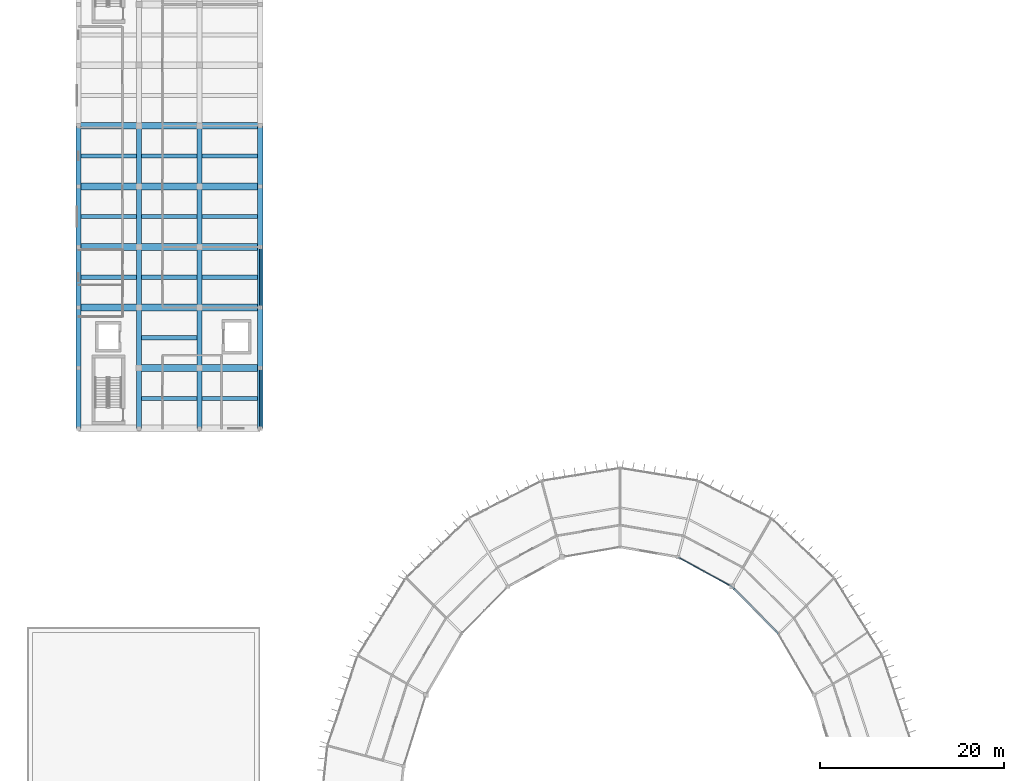
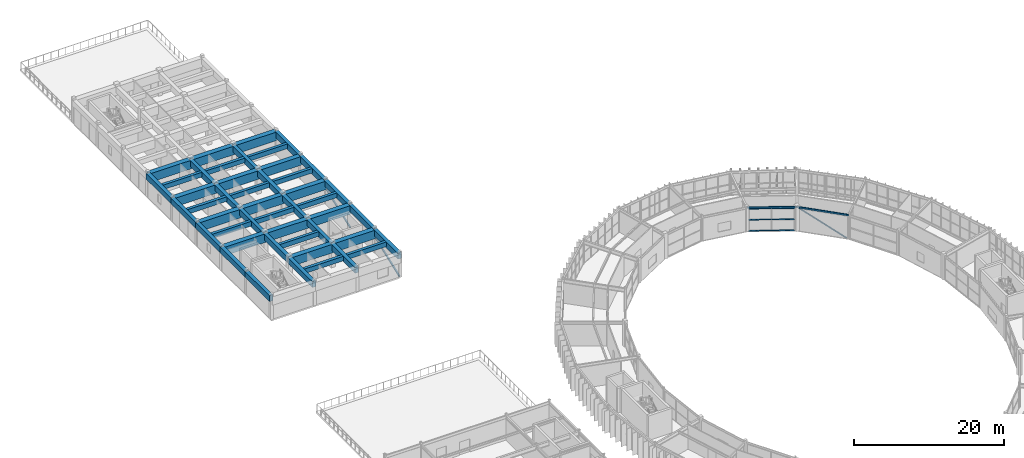
# One storey, part 71 of 130: 48 beams, 9 members, 1 element without a shape of its own.
"""IFC4 building model written with IfcOpenShell, lengths in metres."""

from ifc_helpers import new_model, si_unit, direction, frame, origin, origin_2d, place, context, subcontext, project, spatial, rectangle, hollow_rectangle, hollow_circle, extrude, material, material_profile, profile_set, type_object, element, aggregate, save


model = new_model("IFC4")

# Units and contexts
model_context = context("Model", 3, precision=1e-05, world=origin(), true_north=direction((0.0, 1.0)))
body_context = subcontext(model_context, "Body", "Model", "MODEL_VIEW")
ifc_project = project(units=[si_unit("LENGTHUNIT", "METRE"), si_unit("AREAUNIT", "SQUARE_METRE"), si_unit("VOLUMEUNIT", "CUBIC_METRE"), si_unit("PLANEANGLEUNIT", "RADIAN"), si_unit("MASSUNIT", "GRAM", prefix="KILO")], contexts=[model_context])

# Site, building, storey
site_placement = place(None, origin())
site = spatial("IfcSite", under=ifc_project, at=site_placement, CompositionType="ELEMENT")
building_placement = place(site_placement, origin())
building = spatial("IfcBuilding", under=site, at=building_placement, Name="Karori Crest Natural Sciences Institute", CompositionType="ELEMENT")
storey_placement = place(building_placement, frame((0.0, 0.0, 17.5)))
storey = spatial("IfcBuildingStorey", under=building, at=storey_placement, Name="L04", CompositionType="ELEMENT", Elevation=17.5)

# Beams
ifc_material_1 = material(Name="Hollow structural steel AS/NZS 1163 Grade C350", Category="steel")
ifc_material_profile_1 = material_profile(ifc_material_1, hollow_rectangle(XDim=0.14990234375, YDim=0.25, WallThickness=0.009033203125, at=origin_2d()), Name="RHS250x150x9")
ifc_profile_set_1 = profile_set([ifc_material_profile_1], Name="Hollow structural steel AS/NZS 1163 Grade C350")
beam_type_1 = type_object("IfcBeamType", Name="BT-16", PredefinedType="SPANDREL", material=ifc_profile_set_1)
beam_1_placement = place(storey_placement, frame((83.6533203125, 72.668701171875, 3.7900390625), z_axis=(-0.702645672149, 0.711539921164, 0.0), x_axis=(-0.711539921164, -0.702645672149, 0.0)))
element("IfcBeam", 1, at=beam_1_placement, inside=storey, type_object=beam_type_1, Name="Beam B-0462", PredefinedType="SPANDREL", context=body_context, shape_type="SweptSolid", body=[
    extrude(hollow_rectangle(XDim=0.14990234375, YDim=0.25, WallThickness=0.009033203125, at=origin_2d()), origin(), (0.0, 0.0, 1.0), 7.191650390625),
])
beam_2_placement = place(storey_placement, frame((78.60009765625, 77.785888671875, 3.7900390625), z_axis=(-0.877469531616, 0.47963238119, 0.0), x_axis=(-0.47963238119, -0.877469531616, 0.0)))
element("IfcBeam", 2, at=beam_2_placement, inside=storey, type_object=beam_type_1, Name="Beam B-0466", PredefinedType="SPANDREL", context=body_context, shape_type="SweptSolid", body=[
    extrude(hollow_rectangle(XDim=0.14990234375, YDim=0.25, WallThickness=0.009033203125, at=origin_2d()), origin(), (0.0, 0.0, 1.0), 6.706787109375),
])
ifc_material_2 = material(Name="Concrete 50 MPa", Category="concrete")
ifc_material_profile_2 = material_profile(ifc_material_2, rectangle(XDim=0.75, YDim=1.39990234375, at=origin_2d()), Name="RCB750x1400")
ifc_profile_set_2 = profile_set([ifc_material_profile_2], Name="Concrete 50 MPa")
beam_type_2 = type_object("IfcBeamType", Name="BT-17-IL", PredefinedType="BEAM", material=ifc_profile_set_2)
beam_3_placement = place(storey_placement, frame((14.0, 101.60009765625, 3.14990234375), z_axis=(1.0, 0.0, 0.0), x_axis=(0.0, 1.0, 0.0)))
element("IfcBeam", 3, at=beam_3_placement, inside=storey, type_object=beam_type_2, Name="Beam B-1748", PredefinedType="BEAM", context=body_context, shape_type="SweptSolid", body=[
    extrude(rectangle(XDim=0.75, YDim=1.39990234375, at=origin_2d()), origin(), (0.0, 0.0, 1.0), 6.60009765625),
])
beam_4_placement = place(storey_placement, frame((20.60009765625, 101.60009765625, 3.14990234375), z_axis=(1.0, 0.0, 0.0), x_axis=(0.0, 1.0, 0.0)))
element("IfcBeam", 4, at=beam_4_placement, inside=storey, type_object=beam_type_2, Name="Beam B-1749", PredefinedType="BEAM", context=body_context, shape_type="SweptSolid", body=[
    extrude(rectangle(XDim=0.75, YDim=1.39990234375, at=origin_2d()), origin(), (0.0, 0.0, 1.0), 6.599853515625),
])
for number, where, z_axis, x_axis, name in (
    (5, (7.39990234375, 108.199951171875, 3.14990234375), (1.0, 0.0, 0.0), (0.0, 1.0, 0.0), "Beam B-1750"),
    (6, (14.0, 108.199951171875, 3.14990234375), (1.0, 0.0, 0.0), (0.0, 1.0, 0.0), "Beam B-1751"),
):
    element("IfcBeam", number, at=place(storey_placement, frame(where, z_axis=z_axis, x_axis=x_axis)), inside=storey, type_object=beam_type_2, Name=name, PredefinedType="BEAM", context=body_context, shape_type="SweptSolid", body=[
        extrude(rectangle(XDim=0.75, YDim=1.39990234375, at=origin_2d()), origin(), (0.0, 0.0, 1.0), 6.60009765625),
    ])
beam_5_placement = place(storey_placement, frame((20.60009765625, 108.199951171875, 3.14990234375), z_axis=(1.0, 0.0, 0.0), x_axis=(0.0, 1.0, 0.0)))
element("IfcBeam", 7, at=beam_5_placement, inside=storey, type_object=beam_type_2, Name="Beam B-1752", PredefinedType="BEAM", context=body_context, shape_type="SweptSolid", body=[
    extrude(rectangle(XDim=0.75, YDim=1.39990234375, at=origin_2d()), origin(), (0.0, 0.0, 1.0), 6.599853515625),
])
for number, where, z_axis, x_axis, name in (
    (8, (7.39990234375, 114.800048828125, 3.14990234375), (1.0, 0.0, 0.0), (0.0, 1.0, 0.0), "Beam B-1753"),
    (9, (14.0, 114.800048828125, 3.14990234375), (1.0, 0.0, 0.0), (0.0, 1.0, 0.0), "Beam B-1754"),
):
    element("IfcBeam", number, at=place(storey_placement, frame(where, z_axis=z_axis, x_axis=x_axis)), inside=storey, type_object=beam_type_2, Name=name, PredefinedType="BEAM", context=body_context, shape_type="SweptSolid", body=[
        extrude(rectangle(XDim=0.75, YDim=1.39990234375, at=origin_2d()), origin(), (0.0, 0.0, 1.0), 6.60009765625),
    ])
beam_6_placement = place(storey_placement, frame((20.60009765625, 114.800048828125, 3.14990234375), z_axis=(1.0, 0.0, 0.0), x_axis=(0.0, 1.0, 0.0)))
element("IfcBeam", 10, at=beam_6_placement, inside=storey, type_object=beam_type_2, Name="Beam B-1755", PredefinedType="BEAM", context=body_context, shape_type="SweptSolid", body=[
    extrude(rectangle(XDim=0.75, YDim=1.39990234375, at=origin_2d()), origin(), (0.0, 0.0, 1.0), 6.599853515625),
])
for number, where, z_axis, x_axis, name in (
    (11, (7.39990234375, 121.39990234375, 3.14990234375), (1.0, 0.0, 0.0), (0.0, 1.0, 0.0), "Beam B-1756"),
    (12, (14.0, 121.39990234375, 3.14990234375), (1.0, 0.0, 0.0), (0.0, 1.0, 0.0), "Beam B-1757"),
):
    element("IfcBeam", number, at=place(storey_placement, frame(where, z_axis=z_axis, x_axis=x_axis)), inside=storey, type_object=beam_type_2, Name=name, PredefinedType="BEAM", context=body_context, shape_type="SweptSolid", body=[
        extrude(rectangle(XDim=0.75, YDim=1.39990234375, at=origin_2d()), origin(), (0.0, 0.0, 1.0), 6.60009765625),
    ])
beam_7_placement = place(storey_placement, frame((20.60009765625, 121.39990234375, 3.14990234375), z_axis=(1.0, 0.0, 0.0), x_axis=(0.0, 1.0, 0.0)))
element("IfcBeam", 13, at=beam_7_placement, inside=storey, type_object=beam_type_2, Name="Beam B-1758", PredefinedType="BEAM", context=body_context, shape_type="SweptSolid", body=[
    extrude(rectangle(XDim=0.75, YDim=1.39990234375, at=origin_2d()), origin(), (0.0, 0.0, 1.0), 6.599853515625),
])
for number, where, z_axis, x_axis, name in (
    (14, (7.39990234375, 128.0, 3.14990234375), (1.0, 0.0, 0.0), (0.0, 1.0, 0.0), "Beam B-1759"),
    (15, (14.0, 128.0, 3.14990234375), (1.0, 0.0, 0.0), (0.0, 1.0, 0.0), "Beam B-1760"),
):
    element("IfcBeam", number, at=place(storey_placement, frame(where, z_axis=z_axis, x_axis=x_axis)), inside=storey, type_object=beam_type_2, Name=name, PredefinedType="BEAM", context=body_context, shape_type="SweptSolid", body=[
        extrude(rectangle(XDim=0.75, YDim=1.39990234375, at=origin_2d()), origin(), (0.0, 0.0, 1.0), 6.60009765625),
    ])
beam_8_placement = place(storey_placement, frame((20.60009765625, 128.0, 3.14990234375), z_axis=(1.0, 0.0, 0.0), x_axis=(0.0, 1.0, 0.0)))
element("IfcBeam", 16, at=beam_8_placement, inside=storey, type_object=beam_type_2, Name="Beam B-1761", PredefinedType="BEAM", context=body_context, shape_type="SweptSolid", body=[
    extrude(rectangle(XDim=0.75, YDim=1.39990234375, at=origin_2d()), origin(), (0.0, 0.0, 1.0), 6.599853515625),
])
ifc_material_profile_3 = material_profile(ifc_material_2, rectangle(XDim=0.550048828125, YDim=0.949951171875, at=origin_2d()), Name="RCB550x950")
ifc_profile_set_3 = profile_set([ifc_material_profile_3], Name="Concrete 50 MPa")
beam_type_3 = type_object("IfcBeamType", Name="BT-34", PredefinedType="BEAM", material=ifc_profile_set_3)
beam_9_placement = place(storey_placement, frame((7.39990234375, 95.0, 3.375), z_axis=(0.0, 1.0, 0.0), x_axis=(-1.0, 0.0, 0.0)))
element("IfcBeam", 17, at=beam_9_placement, inside=storey, type_object=beam_type_3, Name="Beam B-1770", PredefinedType="BEAM", context=body_context, shape_type="SweptSolid", body=[
    extrude(rectangle(XDim=0.550048828125, YDim=0.949951171875, at=origin_2d()), origin(), (0.0, 0.0, 1.0), 6.60009765625),
])
beam_10_placement = place(storey_placement, frame((7.39990234375, 101.60009765625, 3.375), z_axis=(0.0, 1.0, 0.0), x_axis=(-1.0, 0.0, 0.0)))
element("IfcBeam", 18, at=beam_10_placement, inside=storey, type_object=beam_type_3, Name="Beam B-1771", PredefinedType="BEAM", context=body_context, shape_type="SweptSolid", body=[
    extrude(rectangle(XDim=0.550048828125, YDim=0.949951171875, at=origin_2d()), origin(), (0.0, 0.0, 1.0), 6.599853515625),
])
beam_11_placement = place(storey_placement, frame((7.39990234375, 108.199951171875, 3.375), z_axis=(0.0, 1.0, 0.0), x_axis=(-1.0, 0.0, 0.0)))
element("IfcBeam", 19, at=beam_11_placement, inside=storey, type_object=beam_type_3, Name="Beam B-1772", PredefinedType="BEAM", context=body_context, shape_type="SweptSolid", body=[
    extrude(rectangle(XDim=0.550048828125, YDim=0.949951171875, at=origin_2d()), origin(), (0.0, 0.0, 1.0), 6.60009765625),
])
beam_12_placement = place(storey_placement, frame((7.39990234375, 114.800048828125, 3.375), z_axis=(0.0, 1.0, 0.0), x_axis=(-1.0, 0.0, 0.0)))
element("IfcBeam", 20, at=beam_12_placement, inside=storey, type_object=beam_type_3, Name="Beam B-1773", PredefinedType="BEAM", context=body_context, shape_type="SweptSolid", body=[
    extrude(rectangle(XDim=0.550048828125, YDim=0.949951171875, at=origin_2d()), origin(), (0.0, 0.0, 1.0), 6.599853515625),
])
for number, where, z_axis, x_axis, name in (
    (21, (7.39990234375, 121.39990234375, 3.375), (0.0, 1.0, 0.0), (-1.0, 0.0, 0.0), "Beam B-1774"),
    (22, (27.199951171875, 95.0, 3.375), (0.0, 1.0, 0.0), (-1.0, 0.0, 0.0), "Beam B-1794"),
):
    element("IfcBeam", number, at=place(storey_placement, frame(where, z_axis=z_axis, x_axis=x_axis)), inside=storey, type_object=beam_type_3, Name=name, PredefinedType="BEAM", context=body_context, shape_type="SweptSolid", body=[
        extrude(rectangle(XDim=0.550048828125, YDim=0.949951171875, at=origin_2d()), origin(), (0.0, 0.0, 1.0), 6.60009765625),
    ])
beam_13_placement = place(storey_placement, frame((27.199951171875, 101.60009765625, 3.375), z_axis=(0.0, 1.0, 0.0), x_axis=(-1.0, 0.0, 0.0)))
element("IfcBeam", 23, at=beam_13_placement, inside=storey, type_object=beam_type_3, Name="Beam B-1795", PredefinedType="BEAM", context=body_context, shape_type="SweptSolid", body=[
    extrude(rectangle(XDim=0.550048828125, YDim=0.949951171875, at=origin_2d()), origin(), (0.0, 0.0, 1.0), 6.599853515625),
])
beam_14_placement = place(storey_placement, frame((27.199951171875, 108.199951171875, 3.375), z_axis=(0.0, 1.0, 0.0), x_axis=(-1.0, 0.0, 0.0)))
element("IfcBeam", 24, at=beam_14_placement, inside=storey, type_object=beam_type_3, Name="Beam B-1796", PredefinedType="BEAM", context=body_context, shape_type="SweptSolid", body=[
    extrude(rectangle(XDim=0.550048828125, YDim=0.949951171875, at=origin_2d()), origin(), (0.0, 0.0, 1.0), 6.60009765625),
])
beam_15_placement = place(storey_placement, frame((27.199951171875, 114.800048828125, 3.375), z_axis=(0.0, 1.0, 0.0), x_axis=(-1.0, 0.0, 0.0)))
element("IfcBeam", 25, at=beam_15_placement, inside=storey, type_object=beam_type_3, Name="Beam B-1797", PredefinedType="BEAM", context=body_context, shape_type="SweptSolid", body=[
    extrude(rectangle(XDim=0.550048828125, YDim=0.949951171875, at=origin_2d()), origin(), (0.0, 0.0, 1.0), 6.599853515625),
])
beam_16_placement = place(storey_placement, frame((27.199951171875, 121.39990234375, 3.375), z_axis=(0.0, 1.0, 0.0), x_axis=(-1.0, 0.0, 0.0)))
element("IfcBeam", 26, at=beam_16_placement, inside=storey, type_object=beam_type_3, Name="Beam B-1798", PredefinedType="BEAM", context=body_context, shape_type="SweptSolid", body=[
    extrude(rectangle(XDim=0.550048828125, YDim=0.949951171875, at=origin_2d()), origin(), (0.0, 0.0, 1.0), 6.60009765625),
])
ifc_material_profile_4 = material_profile(ifc_material_2, rectangle(XDim=0.550048828125, YDim=0.949951171875, at=origin_2d()), Name="RCB550x950")
ifc_profile_set_4 = profile_set([ifc_material_profile_4], Name="Concrete 50 MPa")
beam_type_4 = type_object("IfcBeamType", Name="BT-34-IL", PredefinedType="BEAM", material=ifc_profile_set_4)
beam_17_placement = place(storey_placement, frame((14.0, 95.0, 3.375), z_axis=(0.0, 1.0, 0.0), x_axis=(-1.0, 0.0, 0.0)))
element("IfcBeam", 27, at=beam_17_placement, inside=storey, type_object=beam_type_4, Name="Beam B-1778", PredefinedType="BEAM", context=body_context, shape_type="SweptSolid", body=[
    extrude(rectangle(XDim=0.550048828125, YDim=0.949951171875, at=origin_2d()), origin(), (0.0, 0.0, 1.0), 6.60009765625),
])
beam_18_placement = place(storey_placement, frame((14.0, 101.60009765625, 3.375), z_axis=(0.0, 1.0, 0.0), x_axis=(-1.0, 0.0, 0.0)))
element("IfcBeam", 28, at=beam_18_placement, inside=storey, type_object=beam_type_4, Name="Beam B-1779", PredefinedType="BEAM", context=body_context, shape_type="SweptSolid", body=[
    extrude(rectangle(XDim=0.550048828125, YDim=0.949951171875, at=origin_2d()), origin(), (0.0, 0.0, 1.0), 6.599853515625),
])
beam_19_placement = place(storey_placement, frame((14.0, 108.199951171875, 3.375), z_axis=(0.0, 1.0, 0.0), x_axis=(-1.0, 0.0, 0.0)))
element("IfcBeam", 29, at=beam_19_placement, inside=storey, type_object=beam_type_4, Name="Beam B-1780", PredefinedType="BEAM", context=body_context, shape_type="SweptSolid", body=[
    extrude(rectangle(XDim=0.550048828125, YDim=0.949951171875, at=origin_2d()), origin(), (0.0, 0.0, 1.0), 6.60009765625),
])
beam_20_placement = place(storey_placement, frame((14.0, 114.800048828125, 3.375), z_axis=(0.0, 1.0, 0.0), x_axis=(-1.0, 0.0, 0.0)))
element("IfcBeam", 30, at=beam_20_placement, inside=storey, type_object=beam_type_4, Name="Beam B-1781", PredefinedType="BEAM", context=body_context, shape_type="SweptSolid", body=[
    extrude(rectangle(XDim=0.550048828125, YDim=0.949951171875, at=origin_2d()), origin(), (0.0, 0.0, 1.0), 6.599853515625),
])
for number, where, z_axis, x_axis, name in (
    (31, (14.0, 121.39990234375, 3.375), (0.0, 1.0, 0.0), (-1.0, 0.0, 0.0), "Beam B-1782"),
    (32, (20.60009765625, 95.0, 3.375), (0.0, 1.0, 0.0), (-1.0, 0.0, 0.0), "Beam B-1786"),
):
    element("IfcBeam", number, at=place(storey_placement, frame(where, z_axis=z_axis, x_axis=x_axis)), inside=storey, type_object=beam_type_4, Name=name, PredefinedType="BEAM", context=body_context, shape_type="SweptSolid", body=[
        extrude(rectangle(XDim=0.550048828125, YDim=0.949951171875, at=origin_2d()), origin(), (0.0, 0.0, 1.0), 6.60009765625),
    ])
beam_21_placement = place(storey_placement, frame((20.60009765625, 101.60009765625, 3.375), z_axis=(0.0, 1.0, 0.0), x_axis=(-1.0, 0.0, 0.0)))
element("IfcBeam", 33, at=beam_21_placement, inside=storey, type_object=beam_type_4, Name="Beam B-1787", PredefinedType="BEAM", context=body_context, shape_type="SweptSolid", body=[
    extrude(rectangle(XDim=0.550048828125, YDim=0.949951171875, at=origin_2d()), origin(), (0.0, 0.0, 1.0), 6.599853515625),
])
beam_22_placement = place(storey_placement, frame((20.60009765625, 108.199951171875, 3.375), z_axis=(0.0, 1.0, 0.0), x_axis=(-1.0, 0.0, 0.0)))
element("IfcBeam", 34, at=beam_22_placement, inside=storey, type_object=beam_type_4, Name="Beam B-1788", PredefinedType="BEAM", context=body_context, shape_type="SweptSolid", body=[
    extrude(rectangle(XDim=0.550048828125, YDim=0.949951171875, at=origin_2d()), origin(), (0.0, 0.0, 1.0), 6.60009765625),
])
beam_23_placement = place(storey_placement, frame((20.60009765625, 114.800048828125, 3.375), z_axis=(0.0, 1.0, 0.0), x_axis=(-1.0, 0.0, 0.0)))
element("IfcBeam", 35, at=beam_23_placement, inside=storey, type_object=beam_type_4, Name="Beam B-1789", PredefinedType="BEAM", context=body_context, shape_type="SweptSolid", body=[
    extrude(rectangle(XDim=0.550048828125, YDim=0.949951171875, at=origin_2d()), origin(), (0.0, 0.0, 1.0), 6.599853515625),
])
beam_24_placement = place(storey_placement, frame((20.60009765625, 121.39990234375, 3.375), z_axis=(0.0, 1.0, 0.0), x_axis=(-1.0, 0.0, 0.0)))
element("IfcBeam", 36, at=beam_24_placement, inside=storey, type_object=beam_type_4, Name="Beam B-1790", PredefinedType="BEAM", context=body_context, shape_type="SweptSolid", body=[
    extrude(rectangle(XDim=0.550048828125, YDim=0.949951171875, at=origin_2d()), origin(), (0.0, 0.0, 1.0), 6.60009765625),
])
ifc_material_profile_5 = material_profile(ifc_material_2, rectangle(XDim=0.449951171875, YDim=0.75, at=origin_2d()), Name="RCB450x750")
ifc_profile_set_5 = profile_set([ifc_material_profile_5], Name="Concrete 50 MPa")
beam_type_5 = type_object("IfcBeamType", Name="BT-35", PredefinedType="BEAM", material=ifc_profile_set_5)
for number, where, z_axis, x_axis, name in (
    (37, (7.675048828125, 111.5, 3.47509765625), (1.0, 0.0, 0.0), (0.0, 1.0, 0.0), "Beam B-1802"),
    (38, (7.675048828125, 118.10009765625, 3.47509765625), (1.0, 0.0, 0.0), (0.0, 1.0, 0.0), "Beam B-1803"),
    (39, (7.675048828125, 124.699951171875, 3.47509765625), (1.0, 0.0, 0.0), (0.0, 1.0, 0.0), "Beam B-1804"),
    (40, (14.27490234375, 98.300048828125, 3.47509765625), (1.0, 0.0, 0.0), (0.0, 1.0, 0.0), "Beam B-1807"),
    (41, (14.27490234375, 104.89990234375, 3.47509765625), (1.0, 0.0, 0.0), (0.0, 1.0, 0.0), "Beam B-1808"),
    (42, (14.27490234375, 111.5, 3.47509765625), (1.0, 0.0, 0.0), (0.0, 1.0, 0.0), "Beam B-1809"),
    (43, (14.27490234375, 118.10009765625, 3.47509765625), (1.0, 0.0, 0.0), (0.0, 1.0, 0.0), "Beam B-1810"),
    (44, (14.27490234375, 124.699951171875, 3.47509765625), (1.0, 0.0, 0.0), (0.0, 1.0, 0.0), "Beam B-1811"),
    (45, (20.875, 98.300048828125, 3.47509765625), (1.0, 0.0, 0.0), (0.0, 1.0, 0.0), "Beam B-1815"),
    (46, (20.875, 111.5, 3.47509765625), (1.0, 0.0, 0.0), (0.0, 1.0, 0.0), "Beam B-1816"),
    (47, (20.875, 118.10009765625, 3.47509765625), (1.0, 0.0, 0.0), (0.0, 1.0, 0.0), "Beam B-1817"),
    (48, (20.875, 124.699951171875, 3.47509765625), (1.0, 0.0, 0.0), (0.0, 1.0, 0.0), "Beam B-1818"),
):
    element("IfcBeam", number, at=place(storey_placement, frame(where, z_axis=z_axis, x_axis=x_axis)), inside=storey, type_object=beam_type_5, Name=name, PredefinedType="BEAM", context=body_context, shape_type="SweptSolid", body=[
        extrude(rectangle(XDim=0.449951171875, YDim=0.75, at=origin_2d()), origin(), (0.0, 0.0, 1.0), 6.050048828125),
    ])

# Curtain wall, members
ifc_material_3 = material(Name="Anodised architectural aluminium 6063-T6", Category="aluminium")
curtain_wall_type = type_object("IfcCurtainWallType", Name="CWT-15", PredefinedType="NOTDEFINED", material=ifc_material_3)
curtain_wall_placement = place(storey_placement, origin())
curtain_wall = element("IfcCurtainWall", 49, at=curtain_wall_placement, inside=storey, type_object=curtain_wall_type, Name="Curtain wall CW-0143", PredefinedType="NOTDEFINED")
ifc_material_profile_6 = material_profile(ifc_material_3, hollow_rectangle(XDim=0.06005859375, YDim=0.1201171875, WallThickness=0.00390625, at=origin_2d()), Name="CWT120x60x4")
ifc_profile_set_6 = profile_set([ifc_material_profile_6], Name="Anodised architectural aluminium 6063-T6")
member_type_1 = type_object("IfcMemberType", Name="CWT-TR1", PredefinedType="USERDEFINED", material=ifc_profile_set_6)
member_1_placement = place(storey_placement, frame((78.269775390625, 77.966552734375, 0.030029296875), z_axis=(-0.877448541585, 0.479670779672, 0.0), x_axis=(-0.479670779672, -0.877448541585, 0.0)))
member_1 = element("IfcMember", 50, at=member_1_placement, type_object=member_type_1, Name="CW-0143 transom 1.1", ObjectType="TRANSOM", PredefinedType="USERDEFINED", context=body_context, shape_type="SweptSolid", body=[
    extrude(hollow_rectangle(XDim=0.06005859375, YDim=0.1201171875, WallThickness=0.00390625, at=origin_2d()), origin(), (0.0, 0.0, 1.0), 2.987060546875),
])
member_2_placement = place(storey_placement, frame((78.269775390625, 77.966552734375, 1.824951171875), z_axis=(-0.877448541585, 0.479670779672, 0.0), x_axis=(-0.479670779672, -0.877448541585, 0.0)))
member_2 = element("IfcMember", 51, at=member_2_placement, type_object=member_type_1, Name="CW-0143 transom 1.2", ObjectType="TRANSOM", PredefinedType="USERDEFINED", context=body_context, shape_type="SweptSolid", body=[
    extrude(hollow_rectangle(XDim=0.06005859375, YDim=0.1201171875, WallThickness=0.00390625, at=origin_2d()), origin(), (0.0, 0.0, 1.0), 2.987060546875),
])
member_3_placement = place(storey_placement, frame((78.269775390625, 77.966552734375, 3.6201171875), z_axis=(-0.877448541585, 0.479670779672, 0.0), x_axis=(-0.479670779672, -0.877448541585, 0.0)))
member_3 = element("IfcMember", 52, at=member_3_placement, type_object=member_type_1, Name="CW-0143 transom 1.3", ObjectType="TRANSOM", PredefinedType="USERDEFINED", context=body_context, shape_type="SweptSolid", body=[
    extrude(hollow_rectangle(XDim=0.06005859375, YDim=0.1201171875, WallThickness=0.00390625, at=origin_2d()), origin(), (0.0, 0.0, 1.0), 2.987060546875),
])
member_4_placement = place(storey_placement, frame((75.591552734375, 79.430419921875, 0.030029296875), z_axis=(-0.877448541585, 0.479670779672, 0.0), x_axis=(-0.479670779672, -0.877448541585, 0.0)))
member_4 = element("IfcMember", 53, at=member_4_placement, type_object=member_type_1, Name="CW-0143 transom 2.1", ObjectType="TRANSOM", PredefinedType="USERDEFINED", context=body_context, shape_type="SweptSolid", body=[
    extrude(hollow_rectangle(XDim=0.06005859375, YDim=0.1201171875, WallThickness=0.00390625, at=origin_2d()), origin(), (0.0, 0.0, 1.0), 2.987060546875),
])
member_5_placement = place(storey_placement, frame((75.591552734375, 79.430419921875, 1.824951171875), z_axis=(-0.877448541585, 0.479670779672, 0.0), x_axis=(-0.479670779672, -0.877448541585, 0.0)))
member_5 = element("IfcMember", 54, at=member_5_placement, type_object=member_type_1, Name="CW-0143 transom 2.2", ObjectType="TRANSOM", PredefinedType="USERDEFINED", context=body_context, shape_type="SweptSolid", body=[
    extrude(hollow_rectangle(XDim=0.06005859375, YDim=0.1201171875, WallThickness=0.00390625, at=origin_2d()), origin(), (0.0, 0.0, 1.0), 2.987060546875),
])
member_6_placement = place(storey_placement, frame((75.591552734375, 79.430419921875, 3.6201171875), z_axis=(-0.877448541585, 0.479670779672, 0.0), x_axis=(-0.479670779672, -0.877448541585, 0.0)))
member_6 = element("IfcMember", 55, at=member_6_placement, type_object=member_type_1, Name="CW-0143 transom 2.3", ObjectType="TRANSOM", PredefinedType="USERDEFINED", context=body_context, shape_type="SweptSolid", body=[
    extrude(hollow_rectangle(XDim=0.06005859375, YDim=0.1201171875, WallThickness=0.00390625, at=origin_2d()), origin(), (0.0, 0.0, 1.0), 2.987060546875),
])
aggregate(curtain_wall, [member_1, member_2, member_3, member_4, member_5, member_6])

# Members
ifc_material_profile_7 = material_profile(ifc_material_1, hollow_circle(Radius=0.109619140625, WallThickness=0.00830078125, at=origin_2d()), Name="CHS219.1x8.2")
ifc_profile_set_7 = profile_set([ifc_material_profile_7], Name="Hollow structural steel AS/NZS 1163 Grade C350")
member_type_2 = type_object("IfcMemberType", Name="MT-02", PredefinedType="BRACE", material=ifc_profile_set_7)
member_7_placement = place(storey_placement, frame((83.442626953125, 72.88232421875, 0.010009765625), z_axis=(-0.615119484546, 0.62286845971, 0.483386906763), x_axis=(-0.711518857686, -0.702667001614, 0.0)))
element("IfcMember", 56, at=member_7_placement, inside=storey, type_object=member_type_2, Name="Diagonal Brace M-0021", PredefinedType="BRACE", context=body_context, shape_type="SweptSolid", body=[
    extrude(hollow_circle(Radius=0.109619140625, WallThickness=0.00830078125, at=origin_2d()), origin(), (0.0, 0.0, 1.0), 7.530029296875),
])
ifc_material_profile_8 = material_profile(ifc_material_1, hollow_rectangle(XDim=0.199951171875, YDim=0.199951171875, WallThickness=0.010009765625, at=origin_2d()), Name="SHS200x200x10")
ifc_profile_set_8 = profile_set([ifc_material_profile_8], Name="Hollow structural steel AS/NZS 1163 Grade C350")
member_type_3 = type_object("IfcMemberType", Name="MT-04", PredefinedType="BRACE", material=ifc_profile_set_8)
for number, where, z_axis, x_axis, name in (
    (57, (27.199951171875, 95.0, 0.010009765625), (0.0, 0.937495430674, 0.347997582556), (-1.0, 0.0, 0.0), "Diagonal Brace M-0434"),
    (58, (27.199951171875, 108.199951171875, 0.010009765625), (0.0, 0.937495430674, 0.347997582556), (-1.0, 0.0, 0.0), "Diagonal Brace M-0503"),
):
    element("IfcMember", number, at=place(storey_placement, frame(where, z_axis=z_axis, x_axis=x_axis)), inside=storey, type_object=member_type_3, Name=name, PredefinedType="BRACE", context=body_context, shape_type="SweptSolid", body=[
        extrude(hollow_rectangle(XDim=0.199951171875, YDim=0.199951171875, WallThickness=0.010009765625, at=origin_2d()), origin(), (0.0, 0.0, 1.0), 7.0400390625),
    ])

save(model, "model.ifc")
